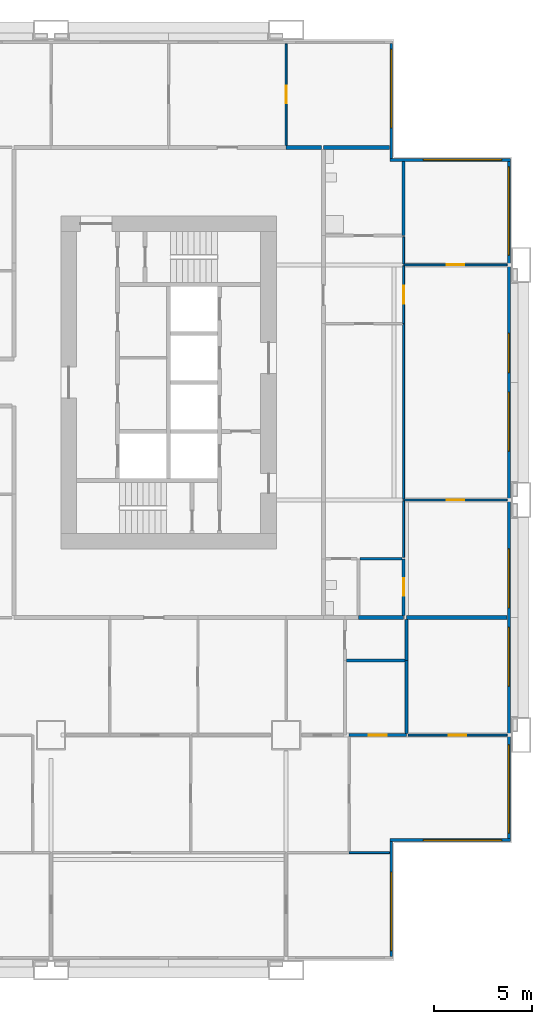
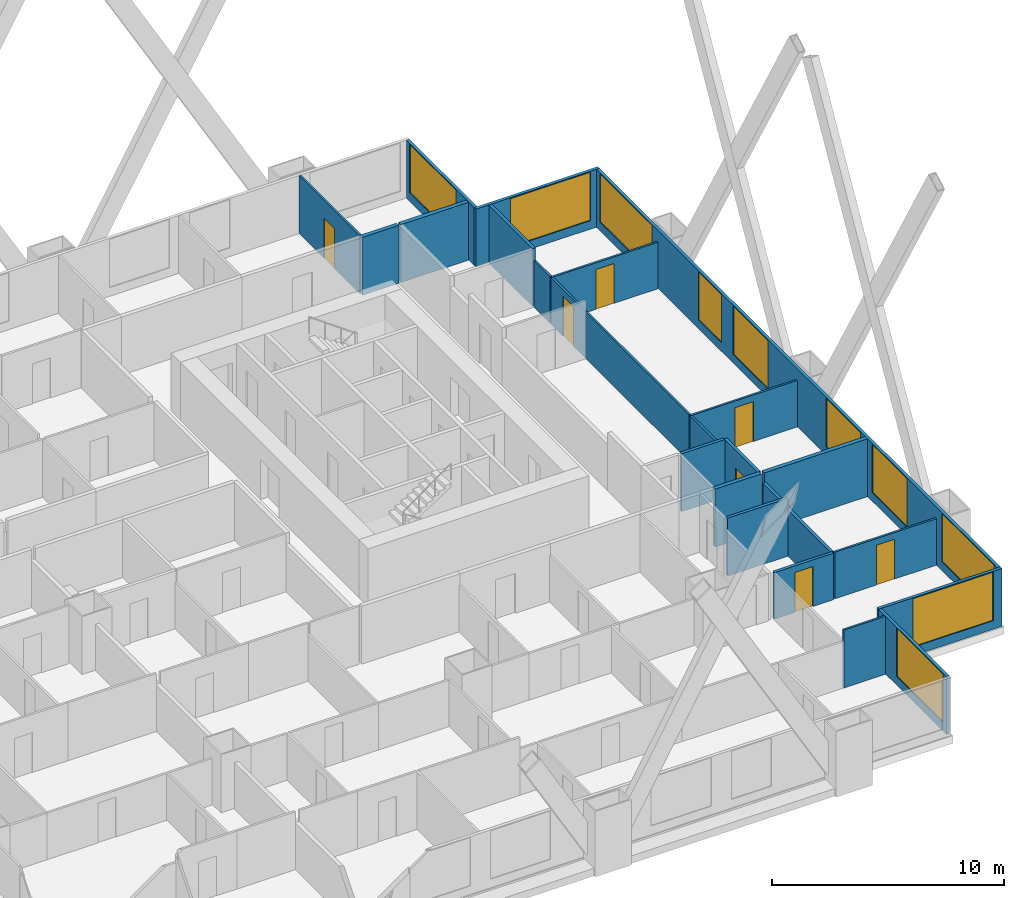
# One storey, part 10 of 13: 25 walls, 10 windows, 7 doors, 17 openings.
"""IFC4 building model written with IfcOpenShell, lengths in metres."""

from ifc_helpers import new_model, si_unit, direction, frame, frame_2d, origin, place, context, subcontext, project, spatial, rectangle, extrude, material, layer, layer_set, type_object, element, fill, save


model = new_model("IFC4")

# Units and contexts
model_context = context("Model", 3, precision=1e-05, world=origin(), true_north=direction((0.0, 1.0)))
body_context = subcontext(model_context, "Body", "Model", "MODEL_VIEW")
ifc_project = project(units=[si_unit("LENGTHUNIT", "METRE"), si_unit("AREAUNIT", "SQUARE_METRE"), si_unit("VOLUMEUNIT", "CUBIC_METRE"), si_unit("PLANEANGLEUNIT", "RADIAN"), si_unit("MASSUNIT", "GRAM", prefix="KILO")], contexts=[model_context])

# Site, building, storey
site_placement = place(None, origin())
site = spatial("IfcSite", under=ifc_project, at=site_placement, CompositionType="ELEMENT")
building_placement = place(site_placement, origin())
building = spatial("IfcBuilding", under=site, at=building_placement, Name="Kitamizu Gate Tower and Museum", CompositionType="ELEMENT")
storey_placement = place(building_placement, frame((0.0, 0.0, 30.0)))
storey = spatial("IfcBuildingStorey", under=building, at=storey_placement, Name="L05", CompositionType="ELEMENT", Elevation=30.0)

# Wall
ifc_material_1 = material(Name="Gypsum board on galvanised stud")
ifc_layer_1 = layer(ifc_material_1, 0.10009765625)
ifc_layer_set_1 = layer_set([ifc_layer_1], Name="Gypsum board on galvanised stud")
wall_type_1 = type_object("IfcWallType", Name="Partition 100 NOT RATED", PredefinedType="PARTITIONING", material=ifc_layer_set_1)
wall_1_placement = place(storey_placement, frame((65.280029296875, 6.0, 0.0), z_axis=(0.0, 0.0, 1.0), x_axis=(-1.0, 0.0, 0.0)))
element("IfcWall", 1, at=wall_1_placement, inside=storey, type_object=wall_type_1, Name="Partition L05-083", PredefinedType="PARTITIONING", context=body_context, shape_type="SweptSolid", body=[
    extrude(rectangle(XDim=2.070068359375, YDim=0.10009765625, at=frame_2d((1.03515625, 0.0))), origin(), (0.0, 0.0, 1.0), 3.050048828125),
])

# Wall, opening, door
wall_2_placement = place(storey_placement, frame((71.280029296875, 12.0, 0.0), z_axis=(0.0, 0.0, 1.0), x_axis=(-1.0, 0.0, 0.0)))
wall_2 = element("IfcWall", 2, at=wall_2_placement, inside=storey, type_object=wall_type_1, Name="Partition L05-096", PredefinedType="PARTITIONING", context=body_context, shape_type="SweptSolid", body=[
    extrude(rectangle(XDim=5.05908203125, YDim=0.10009765625, at=frame_2d((2.529541015625, 0.0))), origin(), (0.0, 0.0, 1.0), 2.449951171875),
])
opening_1_placement = place(wall_2_placement, frame((2.07958984375, 0.0, 0.0)))
opening_1 = element("IfcOpeningElement", 3, at=opening_1_placement, cuts=wall_2, Name="Opening L05-041", PredefinedType="OPENING", context=body_context, shape_type="SweptSolid", body=[
    extrude(rectangle(XDim=0.89990234375, YDim=2.10009765625, at=frame_2d((0.449951171875, 1.050048828125))), frame((0.0, 0.06005859375, 0.0), z_axis=(0.0, -1.0, 0.0), x_axis=(1.0, 0.0, 0.0)), (0.0, 0.0, 1.0), 0.1201171875),
])
ifc_material_2 = material(Name="Timber door set", Category="wood")
door_type_1 = type_object("IfcDoorType", Name="Room door 900", OperationType="NOTDEFINED", PredefinedType="DOOR", material=ifc_material_2)
door_1_placement = place(opening_1_placement, frame((0.89990234375, 0.0, 0.0), x_axis=(-1.0, 0.0, 0.0)))
door_1 = element("IfcDoor", 4, at=door_1_placement, inside=storey, type_object=door_type_1, Name="Door L05-041", OperationType="SINGLE_SWING_RIGHT", OverallHeight=2.10009765625, OverallWidth=0.89990234375, PredefinedType="DOOR", context=body_context, shape_type="SweptSolid", body=[
    extrude(rectangle(XDim=0.89990234375, YDim=2.10009765625, at=frame_2d((0.449951171875, 1.050048828125))), frame((0.0, 0.02490234375, 0.0), z_axis=(0.0, -1.0, 0.0), x_axis=(1.0, 0.0, 0.0)), (0.0, 0.0, 1.0), 0.050048828125),
])
fill(opening_1, door_1)

wall_3_placement = place(storey_placement, frame((71.280029296875, 24.0, 0.0), z_axis=(0.0, 0.0, 1.0), x_axis=(-1.0, 0.0, 0.0)))
wall_3 = element("IfcWall", 5, at=wall_3_placement, inside=storey, type_object=wall_type_1, Name="Partition L05-126", PredefinedType="PARTITIONING", context=body_context, shape_type="SweptSolid", body=[
    extrude(rectangle(XDim=5.280029296875, YDim=0.10009765625, at=frame_2d((2.64013671875, 0.0))), origin(), (0.0, 0.0, 1.0), 2.449951171875),
])
opening_2_placement = place(wall_3_placement, frame((2.18994140625, 0.0, 0.0)))
opening_2 = element("IfcOpeningElement", 6, at=opening_2_placement, cuts=wall_3, Name="Opening L05-051", PredefinedType="OPENING", context=body_context, shape_type="SweptSolid", body=[
    extrude(rectangle(XDim=0.89990234375, YDim=2.10009765625, at=frame_2d((0.449951171875, 1.050048828125))), frame((0.0, 0.06005859375, 0.0), z_axis=(0.0, -1.0, 0.0), x_axis=(1.0, 0.0, 0.0)), (0.0, 0.0, 1.0), 0.1201171875),
])
door_2_placement = place(opening_2_placement, origin())
door_2 = element("IfcDoor", 7, at=door_2_placement, inside=storey, type_object=door_type_1, Name="Door L05-051", OperationType="SINGLE_SWING_LEFT", OverallHeight=2.10009765625, OverallWidth=0.89990234375, PredefinedType="DOOR", context=body_context, shape_type="SweptSolid", body=[
    extrude(rectangle(XDim=0.89990234375, YDim=2.10009765625, at=frame_2d((0.449951171875, 1.050048828125))), frame((0.0, 0.02490234375, 0.0), z_axis=(0.0, -1.0, 0.0), x_axis=(1.0, 0.0, 0.0)), (0.0, 0.0, 1.0), 0.050048828125),
])
fill(opening_2, door_2)

# Wall
wall_4_placement = place(storey_placement, frame((66.0, 23.949951171875, 0.0), z_axis=(0.0, 0.0, 1.0), x_axis=(0.0, -1.0, 0.0)))
element("IfcWall", 8, at=wall_4_placement, inside=storey, type_object=wall_type_1, Name="Partition L05-128", PredefinedType="PARTITIONING", context=body_context, shape_type="SweptSolid", body=[
    extrude(rectangle(XDim=2.875, YDim=0.10009765625, at=frame_2d((1.4375, 0.0))), origin(), (0.0, 0.0, 1.0), 2.449951171875),
])

# Wall, opening, door
wall_5_placement = place(storey_placement, frame((71.280029296875, 36.0, 0.0), z_axis=(0.0, 0.0, 1.0), x_axis=(-1.0, 0.0, 0.0)))
wall_5 = element("IfcWall", 9, at=wall_5_placement, inside=storey, type_object=wall_type_1, Name="Partition L05-129", PredefinedType="PARTITIONING", context=body_context, shape_type="SweptSolid", body=[
    extrude(rectangle(XDim=5.280029296875, YDim=0.10009765625, at=frame_2d((2.64013671875, 0.0))), origin(), (0.0, 0.0, 1.0), 2.449951171875),
])
opening_3_placement = place(wall_5_placement, frame((2.18994140625, 0.0, 0.0)))
opening_3 = element("IfcOpeningElement", 10, at=opening_3_placement, cuts=wall_5, Name="Opening L05-053", PredefinedType="OPENING", context=body_context, shape_type="SweptSolid", body=[
    extrude(rectangle(XDim=0.89990234375, YDim=2.10009765625, at=frame_2d((0.449951171875, 1.050048828125))), frame((0.0, 0.06005859375, 0.0), z_axis=(0.0, -1.0, 0.0), x_axis=(1.0, 0.0, 0.0)), (0.0, 0.0, 1.0), 0.1201171875),
])
door_3_placement = place(opening_3_placement, frame((0.89990234375, 0.0, 0.0), x_axis=(-1.0, 0.0, 0.0)))
door_3 = element("IfcDoor", 11, at=door_3_placement, inside=storey, type_object=door_type_1, Name="Door L05-053", OperationType="SINGLE_SWING_RIGHT", OverallHeight=2.10009765625, OverallWidth=0.89990234375, PredefinedType="DOOR", context=body_context, shape_type="SweptSolid", body=[
    extrude(rectangle(XDim=0.89990234375, YDim=2.10009765625, at=frame_2d((0.449951171875, 1.050048828125))), frame((0.0, 0.02490234375, 0.0), z_axis=(0.0, -1.0, 0.0), x_axis=(1.0, 0.0, 0.0)), (0.0, 0.0, 1.0), 0.050048828125),
])
fill(opening_3, door_3)

# Wall
wall_6_placement = place(storey_placement, frame((66.0, 33.0, 0.0), z_axis=(0.0, 0.0, 1.0), x_axis=(0.0, -1.0, 0.0)))
element("IfcWall", 12, at=wall_6_placement, inside=storey, type_object=wall_type_1, Name="Partition L05-130", PredefinedType="PARTITIONING", context=body_context, shape_type="SweptSolid", body=[
    extrude(rectangle(XDim=8.949951171875, YDim=0.10009765625, at=frame_2d((4.47509765625, 0.0))), origin(), (0.0, 0.0, 1.0), 2.449951171875),
])

# Wall, opening, door
wall_7_placement = place(storey_placement, frame((66.0, 35.949951171875, 0.0), z_axis=(0.0, 0.0, 1.0), x_axis=(0.0, -1.0, 0.0)))
wall_7 = element("IfcWall", 13, at=wall_7_placement, inside=storey, type_object=wall_type_1, Name="Partition L05-131", PredefinedType="PARTITIONING", context=body_context, shape_type="SweptSolid", body=[
    extrude(rectangle(XDim=2.949951171875, YDim=0.10009765625, at=frame_2d((1.47509765625, 0.0))), origin(), (0.0, 0.0, 1.0), 2.449951171875),
])
opening_4_placement = place(wall_7_placement, frame((1.02490234375, 0.0, 0.0)))
opening_4 = element("IfcOpeningElement", 14, at=opening_4_placement, cuts=wall_7, Name="Opening L05-049", PredefinedType="OPENING", context=body_context, shape_type="SweptSolid", body=[
    extrude(rectangle(XDim=0.89990234375, YDim=2.10009765625, at=frame_2d((0.449951171875, 1.050048828125))), frame((0.0, 0.06005859375, 0.0), z_axis=(0.0, -1.0, 0.0), x_axis=(1.0, 0.0, 0.0)), (0.0, 0.0, 1.0), 0.1201171875),
])
door_4_placement = place(opening_4_placement, origin())
door_4 = element("IfcDoor", 15, at=door_4_placement, inside=storey, type_object=door_type_1, Name="Door L05-049", OperationType="SINGLE_SWING_RIGHT", OverallHeight=2.10009765625, OverallWidth=0.89990234375, PredefinedType="DOOR", context=body_context, shape_type="SweptSolid", body=[
    extrude(rectangle(XDim=0.89990234375, YDim=2.10009765625, at=frame_2d((0.449951171875, 1.050048828125))), frame((0.0, 0.02490234375, 0.0), z_axis=(0.0, -1.0, 0.0), x_axis=(1.0, 0.0, 0.0)), (0.0, 0.0, 1.0), 0.050048828125),
])
fill(opening_4, door_4)

# Wall
wall_8_placement = place(storey_placement, frame((66.0, 37.425048828125, 0.0), z_axis=(0.0, 0.0, 1.0), x_axis=(0.0, -1.0, 0.0)))
element("IfcWall", 16, at=wall_8_placement, inside=storey, type_object=wall_type_1, Name="Partition L05-132", PredefinedType="PARTITIONING", context=body_context, shape_type="SweptSolid", body=[
    extrude(rectangle(XDim=1.375, YDim=0.10009765625, at=frame_2d((0.6875, 0.0))), origin(), (0.0, 0.0, 1.0), 2.449951171875),
])

# Wall, opening, door
wall_9_placement = place(storey_placement, frame((60.0, 42.10009765625, 0.0), z_axis=(0.0, 0.0, 1.0), x_axis=(0.0, 1.0, 0.0)))
wall_9 = element("IfcWall", 17, at=wall_9_placement, inside=storey, type_object=wall_type_1, Name="Partition L05-189", PredefinedType="PARTITIONING", context=body_context, shape_type="SweptSolid", body=[
    extrude(rectangle(XDim=5.179931640625, YDim=0.10009765625, at=frame_2d((2.58984375, 0.0))), origin(), (0.0, 0.0, 1.0), 3.050048828125),
])
opening_5_placement = place(wall_9_placement, frame((2.139892578125, 0.0, 0.0)))
opening_5 = element("IfcOpeningElement", 18, at=opening_5_placement, cuts=wall_9, Name="Opening L05-069", PredefinedType="OPENING", context=body_context, shape_type="SweptSolid", body=[
    extrude(rectangle(XDim=0.89990234375, YDim=2.10009765625, at=frame_2d((0.449951171875, 1.050048828125))), frame((0.0, 0.06005859375, 0.0), z_axis=(0.0, -1.0, 0.0), x_axis=(1.0, 0.0, 0.0)), (0.0, 0.0, 1.0), 0.1201171875),
])
door_5_placement = place(opening_5_placement, frame((0.89990234375, 0.0, 0.0), x_axis=(-1.0, 0.0, 0.0)))
door_5 = element("IfcDoor", 19, at=door_5_placement, inside=storey, type_object=door_type_1, Name="Door L05-069", OperationType="SINGLE_SWING_LEFT", OverallHeight=2.10009765625, OverallWidth=0.89990234375, PredefinedType="DOOR", context=body_context, shape_type="SweptSolid", body=[
    extrude(rectangle(XDim=0.89990234375, YDim=2.10009765625, at=frame_2d((0.449951171875, 1.050048828125))), frame((0.0, 0.02490234375, 0.0), z_axis=(0.0, -1.0, 0.0), x_axis=(1.0, 0.0, 0.0)), (0.0, 0.0, 1.0), 0.050048828125),
])
fill(opening_5, door_5)

ifc_material_3 = material(Name="Gypsum board on galvanised stud")
ifc_layer_2 = layer(ifc_material_3, 0.14990234375)
ifc_layer_set_2 = layer_set([ifc_layer_2], Name="Gypsum board on galvanised stud")
wall_type_2 = type_object("IfcWallType", Name="Partition 150", PredefinedType="PARTITIONING", material=ifc_layer_set_2)
wall_10_placement = place(storey_placement, frame((66.14599609375, 12.0, 0.0), z_axis=(0.0, 0.0, 1.0), x_axis=(-1.0, 0.0, 0.0)))
wall_10 = element("IfcWall", 20, at=wall_10_placement, inside=storey, type_object=wall_type_2, Name="Partition L05-097", PredefinedType="PARTITIONING", context=body_context, shape_type="SweptSolid", body=[
    extrude(rectangle(XDim=2.93603515625, YDim=0.14990234375, at=frame_2d((1.468017578125, 0.0))), origin(), (0.0, 0.0, 1.0), 2.449951171875),
])
opening_6_placement = place(wall_10_placement, frame((1.01806640625, 0.0, 0.0)))
opening_6 = element("IfcOpeningElement", 21, at=opening_6_placement, cuts=wall_10, Name="Opening L05-042", PredefinedType="OPENING", context=body_context, shape_type="SweptSolid", body=[
    extrude(rectangle(XDim=0.89990234375, YDim=2.10009765625, at=frame_2d((0.449951171875, 1.050048828125))), frame((0.0, 0.0849609375, 0.0), z_axis=(0.0, -1.0, 0.0), x_axis=(1.0, 0.0, 0.0)), (0.0, 0.0, 1.0), 0.169921875),
])
ifc_material_4 = material(Name="Timber door set", Category="wood")
door_type_2 = type_object("IfcDoorType", Name="Bathroom door 900", OperationType="NOTDEFINED", PredefinedType="DOOR", material=ifc_material_4)
door_6_placement = place(opening_6_placement, frame((0.89990234375, 0.0, 0.0), x_axis=(-1.0, 0.0, 0.0)))
door_6 = element("IfcDoor", 22, at=door_6_placement, inside=storey, type_object=door_type_2, Name="Bathroom door L05-042", OperationType="SINGLE_SWING_LEFT", OverallHeight=2.10009765625, OverallWidth=0.89990234375, PredefinedType="DOOR", context=body_context, shape_type="SweptSolid", body=[
    extrude(rectangle(XDim=0.89990234375, YDim=2.10009765625, at=frame_2d((0.449951171875, 1.050048828125))), frame((0.0, 0.02490234375, 0.0), z_axis=(0.0, -1.0, 0.0), x_axis=(1.0, 0.0, 0.0)), (0.0, 0.0, 1.0), 0.050048828125),
])
fill(opening_6, door_6)

# Walls
wall_11_placement = place(storey_placement, frame((66.14599609375, 15.81396484375, 0.0), z_axis=(0.0, 0.0, 1.0), x_axis=(0.0, -1.0, 0.0)))
element("IfcWall", 23, at=wall_11_placement, inside=storey, type_object=wall_type_2, Name="Partition L05-112", PredefinedType="PARTITIONING", context=body_context, shape_type="SweptSolid", body=[
    extrude(rectangle(XDim=3.739013671875, YDim=0.14990234375, at=frame_2d((1.86962890625, 0.0))), origin(), (0.0, 0.0, 1.0), 2.449951171875),
])
wall_12_placement = place(storey_placement, frame((66.14599609375, 17.89990234375, 0.0), z_axis=(0.0, 0.0, 1.0), x_axis=(0.0, -1.0, 0.0)))
element("IfcWall", 24, at=wall_12_placement, inside=storey, type_object=wall_type_2, Name="Partition L05-113", PredefinedType="PARTITIONING", context=body_context, shape_type="SweptSolid", body=[
    extrude(rectangle(XDim=2.0859375, YDim=0.14990234375, at=frame_2d((1.04296875, 0.0))), origin(), (0.0, 0.0, 1.0), 2.550048828125),
])
wall_13_placement = place(storey_placement, frame((66.071044921875, 15.81396484375, 0.0), z_axis=(0.0, 0.0, 1.0), x_axis=(-1.0, 0.0, 0.0)))
element("IfcWall", 25, at=wall_13_placement, inside=storey, type_object=wall_type_2, Name="Partition L05-115", PredefinedType="PARTITIONING", context=body_context, shape_type="SweptSolid", body=[
    extrude(rectangle(XDim=2.99609375, YDim=0.14990234375, at=frame_2d((1.498046875, 0.0))), origin(), (0.0, 0.0, 1.0), 3.050048828125),
])

# Wall, opening, door
wall_14_placement = place(storey_placement, frame((66.0, 21.0, 0.0), z_axis=(0.0, 0.0, 1.0), x_axis=(0.0, -1.0, 0.0)))
wall_14 = element("IfcWall", 26, at=wall_14_placement, inside=storey, type_object=wall_type_2, Name="Partition L05-127", PredefinedType="PARTITIONING", context=body_context, shape_type="SweptSolid", body=[
    extrude(rectangle(XDim=2.89990234375, YDim=0.14990234375, at=frame_2d((1.449951171875, 0.0))), origin(), (0.0, 0.0, 1.0), 3.050048828125),
])
opening_7_placement = place(wall_14_placement, frame((1.0, 0.0, 0.0)))
opening_7 = element("IfcOpeningElement", 27, at=opening_7_placement, cuts=wall_14, Name="Opening L05-055", PredefinedType="OPENING", context=body_context, shape_type="SweptSolid", body=[
    extrude(rectangle(XDim=0.89990234375, YDim=2.10009765625, at=frame_2d((0.449951171875, 1.050048828125))), frame((0.0, 0.0849609375, 0.0), z_axis=(0.0, -1.0, 0.0), x_axis=(1.0, 0.0, 0.0)), (0.0, 0.0, 1.0), 0.169921875),
])
door_7_placement = place(opening_7_placement, frame((0.89990234375, 0.0, 0.0), x_axis=(-1.0, 0.0, 0.0)))
door_7 = element("IfcDoor", 28, at=door_7_placement, inside=storey, type_object=door_type_2, Name="Bathroom door L05-055", OperationType="SINGLE_SWING_RIGHT", OverallHeight=2.10009765625, OverallWidth=0.89990234375, PredefinedType="DOOR", context=body_context, shape_type="SweptSolid", body=[
    extrude(rectangle(XDim=0.89990234375, YDim=2.10009765625, at=frame_2d((0.449951171875, 1.050048828125))), frame((0.0, 0.02490234375, 0.0), z_axis=(0.0, -1.0, 0.0), x_axis=(1.0, 0.0, 0.0)), (0.0, 0.0, 1.0), 0.050048828125),
])
fill(opening_7, door_7)

# Walls
wall_15_placement = place(storey_placement, frame((66.0, 41.280029296875, 0.0), z_axis=(0.0, 0.0, 1.0), x_axis=(0.0, -1.0, 0.0)))
element("IfcWall", 29, at=wall_15_placement, inside=storey, type_object=wall_type_2, Name="Partition L05-133", PredefinedType="PARTITIONING", context=body_context, shape_type="SweptSolid", body=[
    extrude(rectangle(XDim=3.780029296875, YDim=0.14990234375, at=frame_2d((1.89013671875, 0.0))), origin(), (0.0, 0.0, 1.0), 3.050048828125),
])
wall_16_placement = place(storey_placement, frame((65.925048828125, 21.0, 0.0), z_axis=(0.0, 0.0, 1.0), x_axis=(-1.0, 0.0, 0.0)))
element("IfcWall", 30, at=wall_16_placement, inside=storey, type_object=wall_type_2, Name="Partition L05-137", PredefinedType="PARTITIONING", context=body_context, shape_type="SweptSolid", body=[
    extrude(rectangle(XDim=2.150146484375, YDim=0.14990234375, at=frame_2d((1.0751953125, 0.0))), origin(), (0.0, 0.0, 1.0), 3.050048828125),
])
ifc_material_5 = material(Name="Gypsum board on galvanised stud")
ifc_layer_3 = layer(ifc_material_5, 0.199951171875)
ifc_layer_set_3 = layer_set([ifc_layer_3], Name="Gypsum board on galvanised stud")
wall_type_3 = type_object("IfcWallType", Name="Partition 200", PredefinedType="PARTITIONING", material=ifc_layer_set_3)
wall_17_placement = place(storey_placement, frame((71.280029296875, 18.0, 0.0), z_axis=(0.0, 0.0, 1.0), x_axis=(-1.0, 0.0, 0.0)))
element("IfcWall", 31, at=wall_17_placement, inside=storey, type_object=wall_type_3, Name="Partition L05-114", PredefinedType="PARTITIONING", context=body_context, shape_type="SweptSolid", body=[
    extrude(rectangle(XDim=5.134033203125, YDim=0.199951171875, at=frame_2d((2.56689453125, 0.0))), origin(), (0.0, 0.0, 1.0), 3.050048828125),
])
wall_18_placement = place(storey_placement, frame((66.0, 18.0, 0.0), z_axis=(0.0, 0.0, 1.0), x_axis=(-1.0, 0.0, 0.0)))
element("IfcWall", 32, at=wall_18_placement, inside=storey, type_object=wall_type_3, Name="Partition L05-117", PredefinedType="PARTITIONING", context=body_context, shape_type="SweptSolid", body=[
    extrude(rectangle(XDim=2.300048828125, YDim=0.199951171875, at=frame_2d((1.14990234375, 0.0))), origin(), (0.0, 0.0, 1.0), 3.050048828125),
])
wall_19_placement = place(storey_placement, frame((65.280029296875, 42.0, 0.0), z_axis=(0.0, 0.0, 1.0), x_axis=(-1.0, 0.0, 0.0)))
element("IfcWall", 33, at=wall_19_placement, inside=storey, type_object=wall_type_3, Name="Partition L05-144", PredefinedType="PARTITIONING", context=body_context, shape_type="SweptSolid", body=[
    extrude(rectangle(XDim=3.380126953125, YDim=0.199951171875, at=frame_2d((1.68994140625, 0.0))), origin(), (0.0, 0.0, 1.0), 3.050048828125),
])
wall_20_placement = place(storey_placement, frame((60.0, 42.0, 0.0), z_axis=(0.0, 0.0, 1.0), x_axis=(1.0, 0.0, 0.0)))
element("IfcWall", 34, at=wall_20_placement, inside=storey, type_object=wall_type_3, Name="Partition L05-191", PredefinedType="PARTITIONING", context=body_context, shape_type="SweptSolid", body=[
    extrude(rectangle(XDim=1.800048828125, YDim=0.199951171875, at=frame_2d((0.89990234375, 0.0))), origin(), (0.0, 0.0, 1.0), 3.050048828125),
])

# Wall, opening, window
ifc_material_6 = material(Name="Bronze anodised aluminium frame with insulated spandrel and tinted glass", Category="aluminium")
ifc_layer_4 = layer(ifc_material_6, 0.14990234375)
ifc_layer_set_4 = layer_set([ifc_layer_4], Name="Bronze anodised aluminium frame with insulated spandrel and tinted glass")
wall_type_4 = type_object("IfcWallType", Name="WINDOW WALL 150 BRONZE FRAME EI 30", PredefinedType="ELEMENTEDWALL", material=ifc_layer_set_4)
wall_21_placement = place(storey_placement, frame((65.364990234375, 0.7099609375, 0.0), z_axis=(0.0, 0.0, 1.0), x_axis=(0.0, 1.0, 0.0)))
wall_21 = element("IfcWall", 35, at=wall_21_placement, inside=storey, type_object=wall_type_4, Name="Window wall east L05", PredefinedType="ELEMENTEDWALL", context=body_context, shape_type="SweptSolid", body=[
    extrude(rectangle(XDim=5.85009765625, YDim=0.14990234375, at=frame_2d((2.925048828125, 0.0))), origin(), (0.0, 0.0, 1.0), 3.050048828125),
])
opening_8_placement = place(wall_21_placement, frame((0.2900390625, 0.0, 0.449951171875)))
opening_8 = element("IfcOpeningElement", 36, at=opening_8_placement, cuts=wall_21, Name="Opening W16", PredefinedType="OPENING", context=body_context, shape_type="SweptSolid", body=[
    extrude(rectangle(XDim=4.0, YDim=2.550048828125, at=frame_2d((2.0, 1.27490234375))), frame((0.0, 0.0849609375, 0.0), z_axis=(0.0, -1.0, 0.0), x_axis=(1.0, 0.0, 0.0)), (0.0, 0.0, 1.0), 0.169921875),
])
ifc_material_7 = material(Name="Bronze anodised aluminium frame, tinted triple glazing", Category="aluminium")
window_type_1 = type_object("IfcWindowType", Name="WINDOW 4000 x 2550 SILL 450", PartitioningType="SINGLE_PANEL", PredefinedType="WINDOW", material=ifc_material_7)
window_1_placement = place(opening_8_placement, origin())
window_1 = element("IfcWindow", 37, at=window_1_placement, inside=storey, type_object=window_type_1, Name="Window W16 L05", OverallHeight=2.550048828125, OverallWidth=4.0, PartitioningType="SINGLE_PANEL", PredefinedType="WINDOW", context=body_context, shape_type="SweptSolid", body=[
    extrude(rectangle(XDim=4.0, YDim=2.550048828125, at=frame_2d((2.0, 1.27490234375))), frame((0.0, 0.030029296875, 0.0), z_axis=(0.0, -1.0, 0.0), x_axis=(1.0, 0.0, 0.0)), (0.0, 0.0, 1.0), 0.06005859375),
])
fill(opening_8, window_1)

wall_22_placement = place(storey_placement, frame((65.2900390625, 6.635009765625, 0.0), z_axis=(0.0, 0.0, 1.0), x_axis=(1.0, 0.0, 0.0)))
wall_22 = element("IfcWall", 38, at=wall_22_placement, inside=storey, type_object=wall_type_4, Name="Window wall south L05", PredefinedType="ELEMENTEDWALL", context=body_context, shape_type="SweptSolid", body=[
    extrude(rectangle(XDim=6.14990234375, YDim=0.14990234375, at=frame_2d((3.074951171875, 0.0))), origin(), (0.0, 0.0, 1.0), 3.050048828125),
])
opening_9_placement = place(wall_22_placement, frame((1.7099609375, 0.0, 0.449951171875)))
opening_9 = element("IfcOpeningElement", 39, at=opening_9_placement, cuts=wall_22, Name="Opening W16", PredefinedType="OPENING", context=body_context, shape_type="SweptSolid", body=[
    extrude(rectangle(XDim=4.0, YDim=2.550048828125, at=frame_2d((2.0, 1.27490234375))), frame((0.0, 0.0849609375, 0.0), z_axis=(0.0, -1.0, 0.0), x_axis=(1.0, 0.0, 0.0)), (0.0, 0.0, 1.0), 0.169921875),
])
window_2_placement = place(opening_9_placement, origin())
window_2 = element("IfcWindow", 40, at=window_2_placement, inside=storey, type_object=window_type_1, Name="Window W16 L05", OverallHeight=2.550048828125, OverallWidth=4.0, PartitioningType="SINGLE_PANEL", PredefinedType="WINDOW", context=body_context, shape_type="SweptSolid", body=[
    extrude(rectangle(XDim=4.0, YDim=2.550048828125, at=frame_2d((2.0, 1.27490234375))), frame((0.0, 0.030029296875, 0.0), z_axis=(0.0, -1.0, 0.0), x_axis=(1.0, 0.0, 0.0)), (0.0, 0.0, 1.0), 0.06005859375),
])
fill(opening_9, window_2)

# Wall, openings, windows
wall_23_placement = place(storey_placement, frame((71.364990234375, 6.7099609375, 0.0), z_axis=(0.0, 0.0, 1.0), x_axis=(0.0, 1.0, 0.0)))
wall_23 = element("IfcWall", 41, at=wall_23_placement, inside=storey, type_object=wall_type_4, Name="Window wall east L05", PredefinedType="ELEMENTEDWALL", context=body_context, shape_type="SweptSolid", body=[
    extrude(rectangle(XDim=34.580078125, YDim=0.14990234375, at=frame_2d((17.2900390625, 0.0))), origin(), (0.0, 0.0, 1.0), 3.050048828125),
])
opening_10_placement = place(wall_23_placement, frame((0.2900390625, 0.0, 0.449951171875)))
opening_10 = element("IfcOpeningElement", 42, at=opening_10_placement, cuts=wall_23, Name="Opening W15", PredefinedType="OPENING", context=body_context, shape_type="SweptSolid", body=[
    extrude(rectangle(XDim=4.5, YDim=2.550048828125, at=frame_2d((2.25, 1.27490234375))), frame((0.0, 0.0849609375, 0.0), z_axis=(0.0, -1.0, 0.0), x_axis=(1.0, 0.0, 0.0)), (0.0, 0.0, 1.0), 0.169921875),
])
opening_11_placement = place(wall_23_placement, frame((7.7900390625, 0.0, 0.449951171875)))
opening_11 = element("IfcOpeningElement", 43, at=opening_11_placement, cuts=wall_23, Name="Opening W33", PredefinedType="OPENING", context=body_context, shape_type="SweptSolid", body=[
    extrude(rectangle(XDim=3.0, YDim=2.550048828125, at=frame_2d((1.5, 1.27490234375))), frame((0.0, 0.0849609375, 0.0), z_axis=(0.0, -1.0, 0.0), x_axis=(1.0, 0.0, 0.0)), (0.0, 0.0, 1.0), 0.169921875),
])
opening_12_placement = place(wall_23_placement, frame((11.7900390625, 0.0, 0.449951171875)))
opening_12 = element("IfcOpeningElement", 44, at=opening_12_placement, cuts=wall_23, Name="Opening W33", PredefinedType="OPENING", context=body_context, shape_type="SweptSolid", body=[
    extrude(rectangle(XDim=3.0, YDim=2.550048828125, at=frame_2d((1.5, 1.27490234375))), frame((0.0, 0.0849609375, 0.0), z_axis=(0.0, -1.0, 0.0), x_axis=(1.0, 0.0, 0.0)), (0.0, 0.0, 1.0), 0.169921875),
])
opening_13_placement = place(wall_23_placement, frame((19.7900390625, 0.0, 0.449951171875)))
opening_13 = element("IfcOpeningElement", 45, at=opening_13_placement, cuts=wall_23, Name="Opening W33", PredefinedType="OPENING", context=body_context, shape_type="SweptSolid", body=[
    extrude(rectangle(XDim=3.0, YDim=2.550048828125, at=frame_2d((1.5, 1.27490234375))), frame((0.0, 0.0849609375, 0.0), z_axis=(0.0, -1.0, 0.0), x_axis=(1.0, 0.0, 0.0)), (0.0, 0.0, 1.0), 0.169921875),
])
opening_14_placement = place(wall_23_placement, frame((23.7900390625, 0.0, 0.449951171875)))
opening_14 = element("IfcOpeningElement", 46, at=opening_14_placement, cuts=wall_23, Name="Opening W2", PredefinedType="OPENING", context=body_context, shape_type="SweptSolid", body=[
    extrude(rectangle(XDim=2.0, YDim=2.550048828125, at=frame_2d((1.0, 1.27490234375))), frame((0.0, 0.0849609375, 0.0), z_axis=(0.0, -1.0, 0.0), x_axis=(1.0, 0.0, 0.0)), (0.0, 0.0, 1.0), 0.169921875),
])
opening_15_placement = place(wall_23_placement, frame((29.7900390625, 0.0, 0.449951171875)))
opening_15 = element("IfcOpeningElement", 47, at=opening_15_placement, cuts=wall_23, Name="Opening W15", PredefinedType="OPENING", context=body_context, shape_type="SweptSolid", body=[
    extrude(rectangle(XDim=4.5, YDim=2.550048828125, at=frame_2d((2.25, 1.27490234375))), frame((0.0, 0.0849609375, 0.0), z_axis=(0.0, -1.0, 0.0), x_axis=(1.0, 0.0, 0.0)), (0.0, 0.0, 1.0), 0.169921875),
])
ifc_material_8 = material(Name="Bronze anodised aluminium frame, tinted triple glazing", Category="aluminium")
window_type_2 = type_object("IfcWindowType", Name="WINDOW 2000 x 2550 SILL 450", PartitioningType="SINGLE_PANEL", PredefinedType="WINDOW", material=ifc_material_8)
window_3_placement = place(opening_14_placement, origin())
window_3 = element("IfcWindow", 48, at=window_3_placement, inside=storey, type_object=window_type_2, Name="Window W2 L05", OverallHeight=2.550048828125, OverallWidth=2.0, PartitioningType="SINGLE_PANEL", PredefinedType="WINDOW", context=body_context, shape_type="SweptSolid", body=[
    extrude(rectangle(XDim=2.0, YDim=2.550048828125, at=frame_2d((1.0, 1.27490234375))), frame((0.0, 0.030029296875, 0.0), z_axis=(0.0, -1.0, 0.0), x_axis=(1.0, 0.0, 0.0)), (0.0, 0.0, 1.0), 0.06005859375),
])
fill(opening_14, window_3)
ifc_material_9 = material(Name="Bronze anodised aluminium frame, tinted triple glazing", Category="aluminium")
window_type_3 = type_object("IfcWindowType", Name="WINDOW 3000 x 2550 SILL 450", PartitioningType="SINGLE_PANEL", PredefinedType="WINDOW", material=ifc_material_9)
window_4_placement = place(opening_11_placement, origin())
window_4 = element("IfcWindow", 49, at=window_4_placement, inside=storey, type_object=window_type_3, Name="Window W33 L05", OverallHeight=2.550048828125, OverallWidth=3.0, PartitioningType="SINGLE_PANEL", PredefinedType="WINDOW", context=body_context, shape_type="SweptSolid", body=[
    extrude(rectangle(XDim=3.0, YDim=2.550048828125, at=frame_2d((1.5, 1.27490234375))), frame((0.0, 0.030029296875, 0.0), z_axis=(0.0, -1.0, 0.0), x_axis=(1.0, 0.0, 0.0)), (0.0, 0.0, 1.0), 0.06005859375),
])
fill(opening_11, window_4)
window_5_placement = place(opening_12_placement, origin())
window_5 = element("IfcWindow", 50, at=window_5_placement, inside=storey, type_object=window_type_3, Name="Window W33 L05", OverallHeight=2.550048828125, OverallWidth=3.0, PartitioningType="SINGLE_PANEL", PredefinedType="WINDOW", context=body_context, shape_type="SweptSolid", body=[
    extrude(rectangle(XDim=3.0, YDim=2.550048828125, at=frame_2d((1.5, 1.27490234375))), frame((0.0, 0.030029296875, 0.0), z_axis=(0.0, -1.0, 0.0), x_axis=(1.0, 0.0, 0.0)), (0.0, 0.0, 1.0), 0.06005859375),
])
fill(opening_12, window_5)
window_6_placement = place(opening_13_placement, origin())
window_6 = element("IfcWindow", 51, at=window_6_placement, inside=storey, type_object=window_type_3, Name="Window W33 L05", OverallHeight=2.550048828125, OverallWidth=3.0, PartitioningType="SINGLE_PANEL", PredefinedType="WINDOW", context=body_context, shape_type="SweptSolid", body=[
    extrude(rectangle(XDim=3.0, YDim=2.550048828125, at=frame_2d((1.5, 1.27490234375))), frame((0.0, 0.030029296875, 0.0), z_axis=(0.0, -1.0, 0.0), x_axis=(1.0, 0.0, 0.0)), (0.0, 0.0, 1.0), 0.06005859375),
])
fill(opening_13, window_6)
ifc_material_10 = material(Name="Bronze anodised aluminium frame, tinted triple glazing", Category="aluminium")
window_type_4 = type_object("IfcWindowType", Name="WINDOW 4500 x 2550 SILL 450", PartitioningType="SINGLE_PANEL", PredefinedType="WINDOW", material=ifc_material_10)
window_7_placement = place(opening_10_placement, origin())
window_7 = element("IfcWindow", 52, at=window_7_placement, inside=storey, type_object=window_type_4, Name="Window W15 L05", OverallHeight=2.550048828125, OverallWidth=4.5, PartitioningType="SINGLE_PANEL", PredefinedType="WINDOW", context=body_context, shape_type="SweptSolid", body=[
    extrude(rectangle(XDim=4.5, YDim=2.550048828125, at=frame_2d((2.25, 1.27490234375))), frame((0.0, 0.030029296875, 0.0), z_axis=(0.0, -1.0, 0.0), x_axis=(1.0, 0.0, 0.0)), (0.0, 0.0, 1.0), 0.06005859375),
])
fill(opening_10, window_7)
window_8_placement = place(opening_15_placement, origin())
window_8 = element("IfcWindow", 53, at=window_8_placement, inside=storey, type_object=window_type_4, Name="Window W15 L05", OverallHeight=2.550048828125, OverallWidth=4.5, PartitioningType="SINGLE_PANEL", PredefinedType="WINDOW", context=body_context, shape_type="SweptSolid", body=[
    extrude(rectangle(XDim=4.5, YDim=2.550048828125, at=frame_2d((2.25, 1.27490234375))), frame((0.0, 0.030029296875, 0.0), z_axis=(0.0, -1.0, 0.0), x_axis=(1.0, 0.0, 0.0)), (0.0, 0.0, 1.0), 0.06005859375),
])
fill(opening_15, window_8)

# Wall, opening, window
wall_24_placement = place(storey_placement, frame((65.2900390625, 41.364990234375, 0.0), z_axis=(0.0, 0.0, 1.0), x_axis=(1.0, 0.0, 0.0)))
wall_24 = element("IfcWall", 54, at=wall_24_placement, inside=storey, type_object=wall_type_4, Name="Window wall north L05", PredefinedType="ELEMENTEDWALL", context=body_context, shape_type="SweptSolid", body=[
    extrude(rectangle(XDim=6.14990234375, YDim=0.14990234375, at=frame_2d((3.074951171875, 0.0))), origin(), (0.0, 0.0, 1.0), 3.050048828125),
])
opening_16_placement = place(wall_24_placement, frame((1.7099609375, 0.0, 0.449951171875)))
opening_16 = element("IfcOpeningElement", 55, at=opening_16_placement, cuts=wall_24, Name="Opening W16", PredefinedType="OPENING", context=body_context, shape_type="SweptSolid", body=[
    extrude(rectangle(XDim=4.0, YDim=2.550048828125, at=frame_2d((2.0, 1.27490234375))), frame((0.0, 0.0849609375, 0.0), z_axis=(0.0, -1.0, 0.0), x_axis=(1.0, 0.0, 0.0)), (0.0, 0.0, 1.0), 0.169921875),
])
window_9_placement = place(opening_16_placement, origin())
window_9 = element("IfcWindow", 56, at=window_9_placement, inside=storey, type_object=window_type_1, Name="Window W16 L05", OverallHeight=2.550048828125, OverallWidth=4.0, PartitioningType="SINGLE_PANEL", PredefinedType="WINDOW", context=body_context, shape_type="SweptSolid", body=[
    extrude(rectangle(XDim=4.0, YDim=2.550048828125, at=frame_2d((2.0, 1.27490234375))), frame((0.0, 0.030029296875, 0.0), z_axis=(0.0, -1.0, 0.0), x_axis=(1.0, 0.0, 0.0)), (0.0, 0.0, 1.0), 0.06005859375),
])
fill(opening_16, window_9)

wall_25_placement = place(storey_placement, frame((65.364990234375, 41.43994140625, 0.0), z_axis=(0.0, 0.0, 1.0), x_axis=(0.0, 1.0, 0.0)))
wall_25 = element("IfcWall", 57, at=wall_25_placement, inside=storey, type_object=wall_type_4, Name="Window wall east L05", PredefinedType="ELEMENTEDWALL", context=body_context, shape_type="SweptSolid", body=[
    extrude(rectangle(XDim=5.85009765625, YDim=0.14990234375, at=frame_2d((2.925048828125, 0.0))), origin(), (0.0, 0.0, 1.0), 3.050048828125),
])
opening_17_placement = place(wall_25_placement, frame((1.56005859375, 0.0, 0.449951171875)))
opening_17 = element("IfcOpeningElement", 58, at=opening_17_placement, cuts=wall_25, Name="Opening W16", PredefinedType="OPENING", context=body_context, shape_type="SweptSolid", body=[
    extrude(rectangle(XDim=4.0, YDim=2.550048828125, at=frame_2d((2.0, 1.27490234375))), frame((0.0, 0.0849609375, 0.0), z_axis=(0.0, -1.0, 0.0), x_axis=(1.0, 0.0, 0.0)), (0.0, 0.0, 1.0), 0.169921875),
])
window_10_placement = place(opening_17_placement, origin())
window_10 = element("IfcWindow", 59, at=window_10_placement, inside=storey, type_object=window_type_1, Name="Window W16 L05", OverallHeight=2.550048828125, OverallWidth=4.0, PartitioningType="SINGLE_PANEL", PredefinedType="WINDOW", context=body_context, shape_type="SweptSolid", body=[
    extrude(rectangle(XDim=4.0, YDim=2.550048828125, at=frame_2d((2.0, 1.27490234375))), frame((0.0, 0.030029296875, 0.0), z_axis=(0.0, -1.0, 0.0), x_axis=(1.0, 0.0, 0.0)), (0.0, 0.0, 1.0), 0.06005859375),
])
fill(opening_17, window_10)

save(model, "model.ifc")
